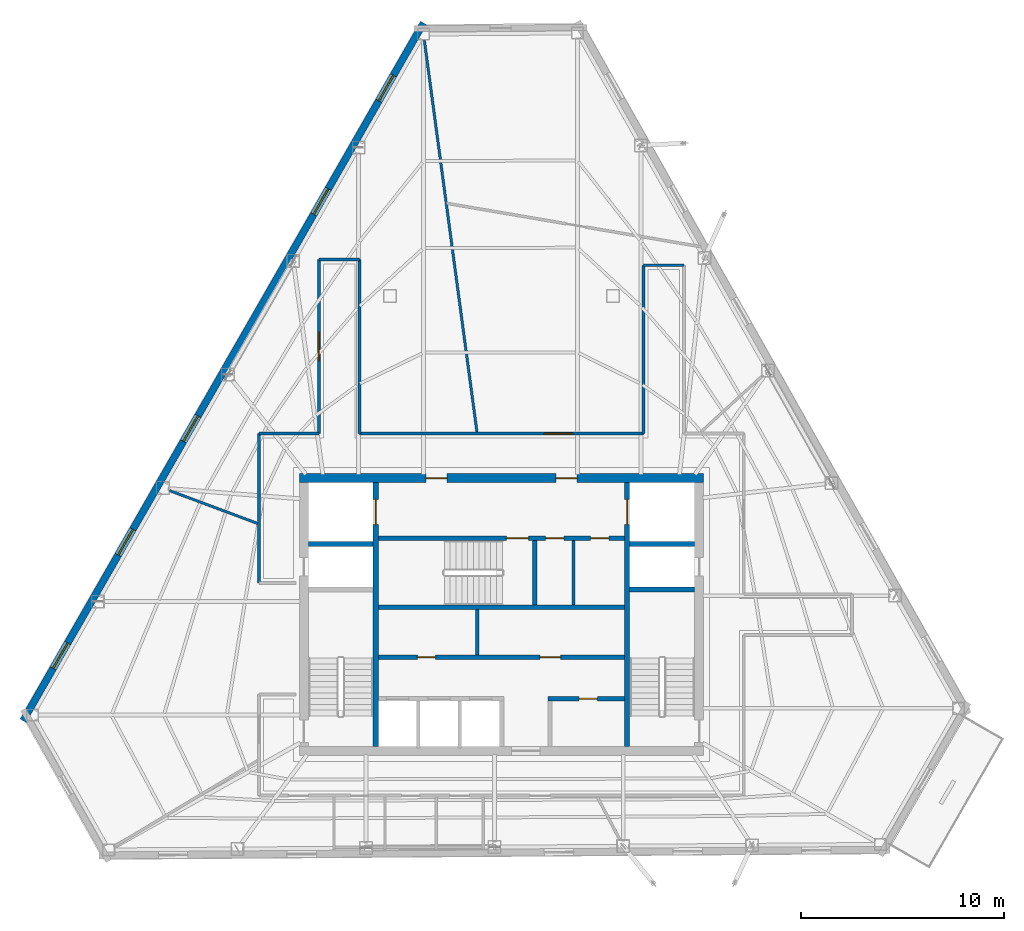
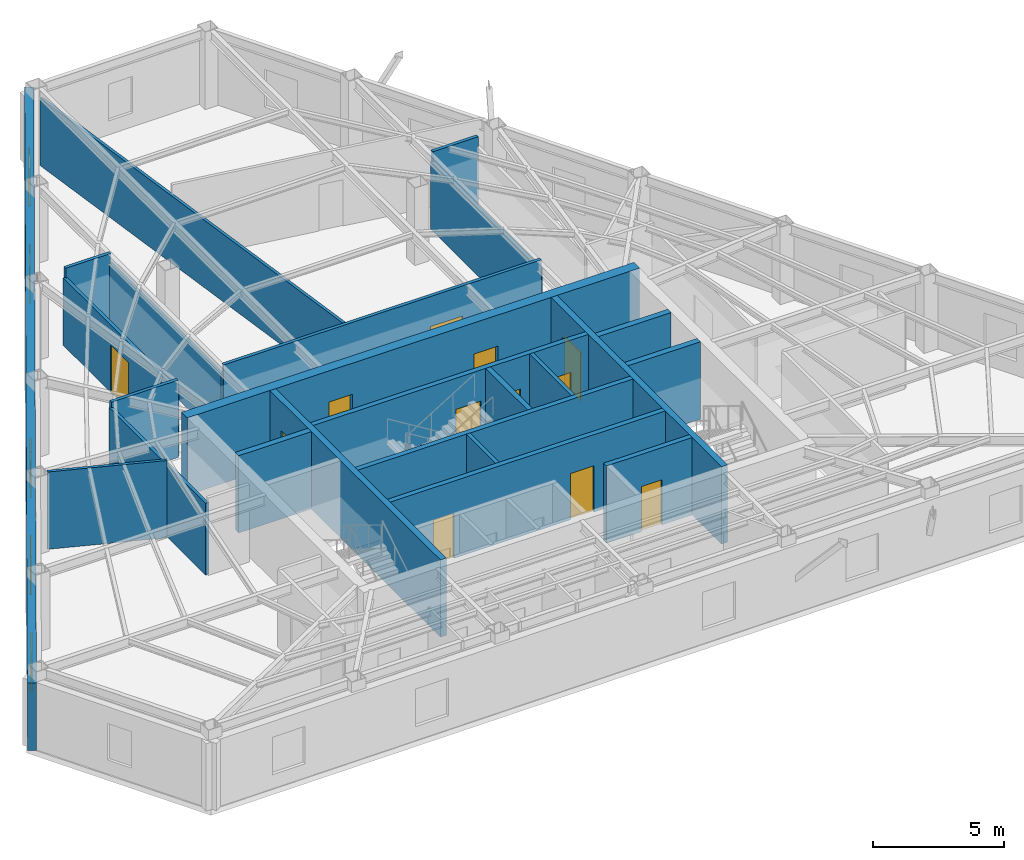
# One storey, part 9 of 12: 24 walls, 12 doors, 5 windows, 17 openings.
"""IFC4 building model written with IfcOpenShell, lengths in metres."""

import ifcopenshell
import ifcopenshell.guid

model = None  # the IFC model being written
_history = None  # IfcOwnerHistory: only IFC2X3 demands one
_inside = {}  # id of a spatial element -> (the spatial element, [elements in it])
_under = {}  # id of a project, library or spatial element -> (it, [spatial elements below it])
_declared = {}  # id of a project -> (the project, [libraries it declares])
_typed = {}  # id of a type object -> (the type object, [elements of that type])
_made_of = {}  # id of a material, layer set ... -> (it, [elements and type objects made of it])


def new_model(schema):
    """Start an empty IFC model of exactly this schema.

    Asked for "IFC4X3", IfcOpenShell would pick the latest addendum, in which some entities
    have other attributes; the version numbers below select the first issue.
    IFC2X3 requires an IfcOwnerHistory on every rooted entity: one is made here for all.
    """
    global model, _history
    if schema == "IFC4X3":
        model = ifcopenshell.file(schema_version=(4, 3, 0, 0))
    else:
        model = ifcopenshell.file(schema=schema)
    _inside.clear()
    _under.clear()
    _declared.clear()
    _typed.clear()
    _made_of.clear()
    _history = None
    if model.schema == "IFC2X3":
        org = make("IfcOrganization", Name="unknown")
        user = make(
            "IfcPersonAndOrganization",
            ThePerson=make("IfcPerson", FamilyName="unknown"),
            TheOrganization=org,
        )
        app = make(
            "IfcApplication",
            ApplicationDeveloper=org,
            Version="unknown",
            ApplicationFullName="unknown",
            ApplicationIdentifier="unknown",
        )
        _history = make(
            "IfcOwnerHistory",
            OwningUser=user,
            OwningApplication=app,
            ChangeAction="ADDED",
            CreationDate=0,
        )
    return model


def make(cls, **values):
    """One entity of the class cls with the attributes given. An attribute that is None is left unset."""
    return model.create_entity(
        cls, **{name: value for name, value in values.items() if value is not None}
    )


def rooted(cls, **values):
    """An entity with a GlobalId (a new one), such as an element, a storey or a relation."""
    return make(cls, GlobalId=ifcopenshell.guid.new(), OwnerHistory=_history, **values)


def si_unit(unit_type, name, prefix=None):
    """IfcSIUnit, for example si_unit("LENGTHUNIT", "METRE", prefix="MILLI")."""
    return make("IfcSIUnit", UnitType=unit_type, Prefix=prefix, Name=name)


def assignment(units):
    """IfcUnitAssignment: the units of a project."""
    return None if units is None else make("IfcUnitAssignment", Units=units)


def point(xyz):
    """IfcCartesianPoint."""
    return None if xyz is None else make("IfcCartesianPoint", Coordinates=xyz)


def direction(xyz):
    """IfcDirection."""
    return None if xyz is None else make("IfcDirection", DirectionRatios=xyz)


def frame(location, z_axis=None, x_axis=None):
    """IfcAxis2Placement3D, a coordinate frame: its origin and axes. An axis left out is left unset."""
    return make(
        "IfcAxis2Placement3D",
        Location=point(location),
        Axis=direction(z_axis),
        RefDirection=direction(x_axis),
    )


def frame_2d(location, x_axis=None):
    """IfcAxis2Placement2D, a coordinate frame in the plane: its origin and x axis."""
    return make(
        "IfcAxis2Placement2D", Location=point(location), RefDirection=direction(x_axis)
    )


def origin():
    """The frame at (0, 0, 0) with its axes left unset."""
    return frame((0.0, 0.0, 0.0))


def place(relative_to, where):
    """IfcLocalPlacement: puts the frame where relative to a parent placement (None: the world)."""
    return make(
        "IfcLocalPlacement", PlacementRelTo=relative_to, RelativePlacement=where
    )


def context(
    kind, dimensions, precision=None, world=None, true_north=None, identifier=None
):
    """IfcGeometricRepresentationContext, for example the 3D "Model" context."""
    return make(
        "IfcGeometricRepresentationContext",
        ContextIdentifier=identifier,
        ContextType=kind,
        CoordinateSpaceDimension=dimensions,
        Precision=precision,
        WorldCoordinateSystem=world,
        TrueNorth=true_north,
    )


def subcontext(parent, identifier, kind, view, scale=None):
    """IfcGeometricRepresentationSubContext, for example "Body" below "Model"."""
    return make(
        "IfcGeometricRepresentationSubContext",
        ContextIdentifier=identifier,
        ContextType=kind,
        ParentContext=parent,
        TargetScale=scale,
        TargetView=view,
    )


def project(units=None, contexts=None):
    """IfcProject with its units and contexts."""
    return rooted(
        "IfcProject",
        Name="project",
        RepresentationContexts=contexts,
        UnitsInContext=assignment(units),
    )


def spatial(cls, under=None, at=None, **own):
    """A site, building, storey or space (cls), placed at a placement, below another one or the project."""
    s = rooted(cls, ObjectPlacement=at, **own)
    if under is not None:
        _under.setdefault(under.id(), (under, []))[1].append(s)
    return s


def profile(cls, at=None, kind="AREA", **sizes):
    """A parametric profile (cls). Its sizes go by their IFC names, for example OverallWidth=200.0."""
    return make(cls, ProfileType=kind, Position=at, **sizes)


def rectangle(**sizes):
    """IfcRectangleProfileDef."""
    return profile("IfcRectangleProfileDef", **sizes)


def extrude(swept, where, along, depth):
    """IfcExtrudedAreaSolid: the profile swept, set in the frame where, extruded along a direction by depth."""
    return make(
        "IfcExtrudedAreaSolid",
        SweptArea=swept,
        Position=where,
        ExtrudedDirection=direction(along),
        Depth=depth,
    )


def shape(context_of_items, identifier, shape_type, items):
    """IfcShapeRepresentation: the items that make up one representation, for example the "Body"."""
    return make(
        "IfcShapeRepresentation",
        ContextOfItems=context_of_items,
        RepresentationIdentifier=identifier,
        RepresentationType=shape_type,
        Items=items,
    )


def material(Name=None, Category=None):
    """IfcMaterial."""
    return make("IfcMaterial", Name=Name, Category=Category)


def layer(
    of_material, thickness, ventilated=None, Name=None, Category=None, Priority=None
):
    """IfcMaterialLayer: one layer of a wall or slab, of a material (None: an air gap)."""
    return make(
        "IfcMaterialLayer",
        Material=of_material,
        LayerThickness=thickness,
        IsVentilated=ventilated,
        Name=Name,
        Category=Category,
        Priority=Priority,
    )


def layer_set(layers, Name=None):
    """IfcMaterialLayerSet."""
    return make("IfcMaterialLayerSet", MaterialLayers=layers, LayerSetName=Name)


def made_of(thing, what):
    """Note that an element or type object is made of a material, layer set ...; save() writes the relation."""
    if what is not None:
        _made_of.setdefault(what.id(), (what, []))[1].append(thing)
    return thing


def type_object(cls, material=None, **own):
    """A type object (cls), such as IfcWallType, which elements share."""
    return made_of(rooted(cls, **own), material)


def element(
    cls,
    number,
    at=None,
    inside=None,
    cuts=None,
    type_object=None,
    material=None,
    context=None,
    identifier="Body",
    shape_type=None,
    held_by="IfcProductDefinitionShape",
    body=None,
    shapes=None,
    **own,
):
    """One element of the class cls, such as IfcWall. Its Tag is "e" and its number.

    at: its placement. inside: the storey or other place that contains it. cuts: it is an
    opening in that element (IfcRelVoidsElement). A single representation is given by context,
    identifier, shape_type and body (its items); several are given by shapes. held_by: the class
    of the entity that holds the representations. save() writes the other relations.
    """
    e = rooted(cls, Tag="e%d" % number, ObjectPlacement=at, **own)
    if body is not None:
        shapes = [shape(context, identifier, shape_type, body)]
    if shapes is not None:
        e.Representation = make(held_by, Representations=shapes)
    if inside is not None:
        _inside.setdefault(inside.id(), (inside, []))[1].append(e)
    if cuts is not None:
        rooted(
            "IfcRelVoidsElement", RelatingBuildingElement=cuts, RelatedOpeningElement=e
        )
    if type_object is not None:
        _typed.setdefault(type_object.id(), (type_object, []))[1].append(e)
    return made_of(e, material)


def fill(opening, filler):
    """IfcRelFillsElement: the door or window that sits in an opening."""
    return rooted(
        "IfcRelFillsElement",
        RelatingOpeningElement=opening,
        RelatedBuildingElement=filler,
    )


def aggregate(whole, parts):
    """IfcRelAggregates: a whole, such as a stair, and the parts it consists of."""
    return rooted("IfcRelAggregates", RelatingObject=whole, RelatedObjects=parts)


def save(model, path):
    """Write the relations noted so far, then the file.

    IfcRelAggregates (storeys below a building ...), IfcRelContainedInSpatialStructure (elements
    in a storey), IfcRelDefinesByType, IfcRelAssociatesMaterial and IfcRelDeclares: one each for
    every whole, place, type object, material and project.
    """
    for whole, parts in _under.values():
        aggregate(whole, parts)
    for where, things in _inside.values():
        rooted(
            "IfcRelContainedInSpatialStructure",
            RelatedElements=things,
            RelatingStructure=where,
        )
    for kind, things in _typed.values():
        rooted("IfcRelDefinesByType", RelatedObjects=things, RelatingType=kind)
    for what, things in _made_of.values():
        rooted("IfcRelAssociatesMaterial", RelatedObjects=things, RelatingMaterial=what)
    for by, libraries in _declared.values():
        rooted("IfcRelDeclares", RelatingContext=by, RelatedDefinitions=libraries)
    model.write(path)


model = new_model("IFC4")

# Units and contexts
model_context = context("Model", 3, precision=1e-05, world=origin(), true_north=direction((0.0, 1.0)))
body_context = subcontext(model_context, "Body", "Model", "MODEL_VIEW")
ifc_project = project(units=[si_unit("LENGTHUNIT", "METRE"), si_unit("AREAUNIT", "SQUARE_METRE"), si_unit("VOLUMEUNIT", "CUBIC_METRE"), si_unit("PLANEANGLEUNIT", "RADIAN"), si_unit("MASSUNIT", "GRAM", prefix="KILO")], contexts=[model_context])

# Site, building, storey
site_placement = place(None, origin())
site = spatial("IfcSite", under=ifc_project, at=site_placement, CompositionType="ELEMENT")
building_placement = place(site_placement, origin())
building = spatial("IfcBuilding", under=site, at=building_placement, Name="Kavelnor Concourse Tower", CompositionType="ELEMENT")
storey_placement = place(building_placement, frame((0.0, 0.0, 226.60009765625)))
storey = spatial("IfcBuildingStorey", under=building, at=storey_placement, Name="L57", CompositionType="ELEMENT", Elevation=226.60009765625)

# Wall, openings, doors
ifc_material_1 = material(Name="Concrete C50/60", Category="concrete")
ifc_layer_1 = layer(ifc_material_1, 0.43994140625, Name="Concrete C50/60")
ifc_layer_set_1 = layer_set([ifc_layer_1], Name="Concrete C50/60")
wall_type_1 = type_object("IfcWallType", Name="WL-CORE-Z3-440", PredefinedType="SOLIDWALL", material=ifc_layer_set_1)
wall_1_placement = place(storey_placement, frame((28.0400390625, 22.820068359375, 0.0), z_axis=(0.0, 0.0, 1.0), x_axis=(1.0, 0.0, 0.0)))
wall_1 = element("IfcWall", 1, at=wall_1_placement, inside=storey, type_object=wall_type_1, Name="L57 Central Core North Shear Wall", PredefinedType="SOLIDWALL", context=body_context, shape_type="SweptSolid", body=[
    extrude(rectangle(XDim=19.919921875, YDim=0.43994140625, at=frame_2d((9.9599609375, 0.0))), origin(), (0.0, 0.0, 1.0), 3.599853515625),
])
opening_1_placement = place(wall_1_placement, frame((6.235107421875, 0.0, 0.0)))
opening_1 = element("IfcOpeningElement", 2, at=opening_1_placement, cuts=wall_1, Name="Opening FD-105", PredefinedType="OPENING", context=body_context, shape_type="SweptSolid", body=[
    extrude(rectangle(XDim=1.050048828125, YDim=2.14990234375, at=frame_2d((0.52490234375, 1.074951171875))), frame((0.0, 0.22998046875, 0.0), z_axis=(0.0, -1.0, 0.0), x_axis=(1.0, 0.0, 0.0)), (0.0, 0.0, 1.0), 0.4599609375),
])
opening_2_placement = place(wall_1_placement, frame((12.635009765625, 0.0, 0.0)))
opening_2 = element("IfcOpeningElement", 3, at=opening_2_placement, cuts=wall_1, Name="Opening FD-105", PredefinedType="OPENING", context=body_context, shape_type="SweptSolid", body=[
    extrude(rectangle(XDim=1.050048828125, YDim=2.14990234375, at=frame_2d((0.52490234375, 1.074951171875))), frame((0.0, 0.22998046875, 0.0), z_axis=(0.0, -1.0, 0.0), x_axis=(1.0, 0.0, 0.0)), (0.0, 0.0, 1.0), 0.4599609375),
])
ifc_material_2 = material(Name="Steel Grade 350", Category="steel")
door_type_1 = type_object("IfcDoorType", Name="DR-LOBBY-FIRE-1050", OperationType="NOTDEFINED", PredefinedType="DOOR", material=ifc_material_2)
door_1_placement = place(opening_1_placement, origin())
door_1 = element("IfcDoor", 4, at=door_1_placement, inside=storey, type_object=door_type_1, Name="L57 Emergency Lift Lobby West Door", OperationType="SINGLE_SWING_LEFT", OverallHeight=2.14990234375, OverallWidth=1.050048828125, PredefinedType="DOOR", context=body_context, shape_type="SweptSolid", body=[
    extrude(rectangle(XDim=1.050048828125, YDim=2.14990234375, at=frame_2d((0.52490234375, 1.074951171875))), frame((0.0, 0.02490234375, 0.0), z_axis=(0.0, -1.0, 0.0), x_axis=(1.0, 0.0, 0.0)), (0.0, 0.0, 1.0), 0.050048828125),
])
fill(opening_1, door_1)
door_2_placement = place(opening_2_placement, origin())
door_2 = element("IfcDoor", 5, at=door_2_placement, inside=storey, type_object=door_type_1, Name="L57 Emergency Lift Lobby East Door", OperationType="SINGLE_SWING_RIGHT", OverallHeight=2.14990234375, OverallWidth=1.050048828125, PredefinedType="DOOR", context=body_context, shape_type="SweptSolid", body=[
    extrude(rectangle(XDim=1.050048828125, YDim=2.14990234375, at=frame_2d((0.52490234375, 1.074951171875))), frame((0.0, 0.02490234375, 0.0), z_axis=(0.0, -1.0, 0.0), x_axis=(1.0, 0.0, 0.0)), (0.0, 0.0, 1.0), 0.050048828125),
])
fill(opening_2, door_2)

# Wall, openings, windows
ifc_material_3 = material(Name="Red-ochre clay face brick masonry", Category="masonry")
ifc_layer_2 = layer(ifc_material_3, 0.35009765625, Name="Red-ochre clay face brick masonry")
ifc_layer_set_2 = layer_set([ifc_layer_2], Name="Red-ochre clay face brick masonry")
wall_type_2 = type_object("IfcWallType", Name="WL-EXT-RED-BRICK-PIER-350", PredefinedType="STANDARD", material=ifc_layer_set_2)
wall_2_placement = place(storey_placement, frame((14.4248046875, 10.865478515625, 0.0), z_axis=(0.0, 0.0, 1.0), x_axis=(0.497768108872, 0.867310157781, 0.0)))
wall_2 = element("IfcWall", 6, at=wall_2_placement, inside=storey, type_object=wall_type_2, Name="L57 Exterior Brick Facade Wall E1", PredefinedType="STANDARD", context=body_context, shape_type="SweptSolid", body=[
    extrude(rectangle(XDim=39.646728515625, YDim=0.35009765625, at=frame_2d((19.8232421875, 0.0))), origin(), (0.0, 0.0, 1.0), 3.1318359375),
])
opening_3_placement = place(wall_2_placement, frame((35.22119140625, 0.0, 0.64990234375)))
opening_3 = element("IfcOpeningElement", 7, at=opening_3_placement, cuts=wall_2, Name="Opening W-03", PredefinedType="OPENING", context=body_context, shape_type="SweptSolid", body=[
    extrude(rectangle(XDim=1.449951171875, YDim=1.75, at=frame_2d((0.72509765625, 0.875))), frame((0.0, 0.18505859375, 0.0), z_axis=(0.0, -1.0, 0.0), x_axis=(1.0, 0.0, 0.0)), (0.0, 0.0, 1.0), 0.3701171875),
])
opening_4_placement = place(wall_2_placement, frame((28.771484375, 0.0, 0.64990234375)))
opening_4 = element("IfcOpeningElement", 8, at=opening_4_placement, cuts=wall_2, Name="Opening W-03", PredefinedType="OPENING", context=body_context, shape_type="SweptSolid", body=[
    extrude(rectangle(XDim=1.449951171875, YDim=1.75, at=frame_2d((0.72509765625, 0.875))), frame((0.0, 0.18505859375, 0.0), z_axis=(0.0, -1.0, 0.0), x_axis=(1.0, 0.0, 0.0)), (0.0, 0.0, 1.0), 0.3701171875),
])
opening_5_placement = place(wall_2_placement, frame((15.872314453125, 0.0, 0.64990234375)))
opening_5 = element("IfcOpeningElement", 9, at=opening_5_placement, cuts=wall_2, Name="Opening W-03", PredefinedType="OPENING", context=body_context, shape_type="SweptSolid", body=[
    extrude(rectangle(XDim=1.449951171875, YDim=1.75, at=frame_2d((0.72509765625, 0.875))), frame((0.0, 0.18505859375, 0.0), z_axis=(0.0, -1.0, 0.0), x_axis=(1.0, 0.0, 0.0)), (0.0, 0.0, 1.0), 0.3701171875),
])
opening_6_placement = place(wall_2_placement, frame((9.422607421875, 0.0, 0.64990234375)))
opening_6 = element("IfcOpeningElement", 10, at=opening_6_placement, cuts=wall_2, Name="Opening W-03", PredefinedType="OPENING", context=body_context, shape_type="SweptSolid", body=[
    extrude(rectangle(XDim=1.449951171875, YDim=1.75, at=frame_2d((0.72509765625, 0.875))), frame((0.0, 0.18505859375, 0.0), z_axis=(0.0, -1.0, 0.0), x_axis=(1.0, 0.0, 0.0)), (0.0, 0.0, 1.0), 0.3701171875),
])
opening_7_placement = place(wall_2_placement, frame((2.972900390625, 0.0, 0.64990234375)))
opening_7 = element("IfcOpeningElement", 11, at=opening_7_placement, cuts=wall_2, Name="Opening W-03", PredefinedType="OPENING", context=body_context, shape_type="SweptSolid", body=[
    extrude(rectangle(XDim=1.449951171875, YDim=1.75, at=frame_2d((0.72509765625, 0.875))), frame((0.0, 0.18505859375, 0.0), z_axis=(0.0, -1.0, 0.0), x_axis=(1.0, 0.0, 0.0)), (0.0, 0.0, 1.0), 0.3701171875),
])
ifc_material_4 = material(Name="Double low-E argon insulated glazing", Category="glass")
window_type = type_object("IfcWindowType", Name="WIN-PIER-Z3-1500", PartitioningType="SINGLE_PANEL", PredefinedType="WINDOW", material=ifc_material_4)
window_1_placement = place(opening_3_placement, origin())
window_1 = element("IfcWindow", 12, at=window_1_placement, inside=storey, type_object=window_type, Name="L57 Deep-Set Brick Pier Window F0-B0", OverallHeight=1.75, OverallWidth=1.449951171875, PartitioningType="SINGLE_PANEL", PredefinedType="WINDOW", context=body_context, shape_type="SweptSolid", body=[
    extrude(rectangle(XDim=1.449951171875, YDim=1.75, at=frame_2d((0.72509765625, 0.875))), frame((0.0, 0.030029296875, 0.0), z_axis=(0.0, -1.0, 0.0), x_axis=(1.0, 0.0, 0.0)), (0.0, 0.0, 1.0), 0.06005859375),
])
fill(opening_3, window_1)
window_2_placement = place(opening_4_placement, origin())
window_2 = element("IfcWindow", 13, at=window_2_placement, inside=storey, type_object=window_type, Name="L57 Deep-Set Brick Pier Window F0-B1", OverallHeight=1.75, OverallWidth=1.449951171875, PartitioningType="SINGLE_PANEL", PredefinedType="WINDOW", context=body_context, shape_type="SweptSolid", body=[
    extrude(rectangle(XDim=1.449951171875, YDim=1.75, at=frame_2d((0.72509765625, 0.875))), frame((0.0, 0.030029296875, 0.0), z_axis=(0.0, -1.0, 0.0), x_axis=(1.0, 0.0, 0.0)), (0.0, 0.0, 1.0), 0.06005859375),
])
fill(opening_4, window_2)
window_3_placement = place(opening_5_placement, origin())
window_3 = element("IfcWindow", 14, at=window_3_placement, inside=storey, type_object=window_type, Name="L57 Deep-Set Brick Pier Window F0-B3", OverallHeight=1.75, OverallWidth=1.449951171875, PartitioningType="SINGLE_PANEL", PredefinedType="WINDOW", context=body_context, shape_type="SweptSolid", body=[
    extrude(rectangle(XDim=1.449951171875, YDim=1.75, at=frame_2d((0.72509765625, 0.875))), frame((0.0, 0.030029296875, 0.0), z_axis=(0.0, -1.0, 0.0), x_axis=(1.0, 0.0, 0.0)), (0.0, 0.0, 1.0), 0.06005859375),
])
fill(opening_5, window_3)
window_4_placement = place(opening_6_placement, origin())
window_4 = element("IfcWindow", 15, at=window_4_placement, inside=storey, type_object=window_type, Name="L57 Deep-Set Brick Pier Window F0-B4", OverallHeight=1.75, OverallWidth=1.449951171875, PartitioningType="SINGLE_PANEL", PredefinedType="WINDOW", context=body_context, shape_type="SweptSolid", body=[
    extrude(rectangle(XDim=1.449951171875, YDim=1.75, at=frame_2d((0.72509765625, 0.875))), frame((0.0, 0.030029296875, 0.0), z_axis=(0.0, -1.0, 0.0), x_axis=(1.0, 0.0, 0.0)), (0.0, 0.0, 1.0), 0.06005859375),
])
fill(opening_6, window_4)
window_5_placement = place(opening_7_placement, origin())
window_5 = element("IfcWindow", 16, at=window_5_placement, inside=storey, type_object=window_type, Name="L57 Deep-Set Brick Pier Window F0-B5", OverallHeight=1.75, OverallWidth=1.449951171875, PartitioningType="SINGLE_PANEL", PredefinedType="WINDOW", context=body_context, shape_type="SweptSolid", body=[
    extrude(rectangle(XDim=1.449951171875, YDim=1.75, at=frame_2d((0.72509765625, 0.875))), frame((0.0, 0.030029296875, 0.0), z_axis=(0.0, -1.0, 0.0), x_axis=(1.0, 0.0, 0.0)), (0.0, 0.0, 1.0), 0.06005859375),
])
fill(opening_7, window_5)

# Walls
ifc_material_5 = material(Name="Gypsum plasterboard on light-gauge steel studs", Category="steel")
ifc_layer_3 = layer(ifc_material_5, 0.14501953125, Name="Gypsum plasterboard on light-gauge steel studs")
ifc_layer_set_3 = layer_set([ifc_layer_3], Name="Gypsum plasterboard on light-gauge steel studs")
wall_type_3 = type_object("IfcWallType", Name="WL-INT-CORR-145", PredefinedType="PARTITIONING", material=ifc_layer_set_3)
wall_3_placement = place(storey_placement, frame((26.06005859375, 17.64990234375, 0.0), z_axis=(0.0, 0.0, 1.0), x_axis=(0.0, 1.0, 0.0)))
element("IfcWall", 17, at=wall_3_placement, inside=storey, type_object=wall_type_3, Name="L57 Corridor Wall WL-L57-CR-02", PredefinedType="PARTITIONING", context=body_context, shape_type="SweptSolid", body=[
    extrude(rectangle(XDim=7.3701171875, YDim=0.14501953125, at=frame_2d((3.68505859375, 0.0))), origin(), (0.0, 0.0, 1.0), 3.3388671875),
])
wall_4_placement = place(storey_placement, frame((26.06005859375, 25.02001953125, 0.0), z_axis=(0.0, 0.0, 1.0), x_axis=(1.0, 0.0, 0.0)))
element("IfcWall", 18, at=wall_4_placement, inside=storey, type_object=wall_type_3, Name="L57 Corridor Wall WL-L57-CR-03", PredefinedType="PARTITIONING", context=body_context, shape_type="SweptSolid", body=[
    extrude(rectangle(XDim=2.93994140625, YDim=0.14501953125, at=frame_2d((1.469970703125, 0.0))), origin(), (0.0, 0.0, 1.0), 3.599853515625),
])

# Wall, opening, door
wall_5_placement = place(storey_placement, frame((29.0, 25.02001953125, 0.0), z_axis=(0.0, 0.0, 1.0), x_axis=(0.0, 1.0, 0.0)))
wall_5 = element("IfcWall", 19, at=wall_5_placement, inside=storey, type_object=wall_type_3, Name="L57 Corridor Wall WL-L57-CR-04", PredefinedType="PARTITIONING", context=body_context, shape_type="SweptSolid", body=[
    extrude(rectangle(XDim=8.57861328125, YDim=0.14501953125, at=frame_2d((4.289306640625, 0.0))), origin(), (0.0, 0.0, 1.0), 3.140869140625),
])
opening_8_placement = place(wall_5_placement, frame((3.58935546875, 0.0, 0.0)))
opening_8 = element("IfcOpeningElement", 20, at=opening_8_placement, cuts=wall_5, Name="Opening SD-140", PredefinedType="OPENING", context=body_context, shape_type="SweptSolid", body=[
    extrude(rectangle(XDim=1.39990234375, YDim=2.199951171875, at=frame_2d((0.699951171875, 1.10009765625))), frame((0.0, 0.08251953125, 0.0), z_axis=(0.0, -1.0, 0.0), x_axis=(1.0, 0.0, 0.0)), (0.0, 0.0, 1.0), 0.1650390625),
])
ifc_material_6 = material(Name="Solid-core hardwood timber", Category="wood")
door_type_2 = type_object("IfcDoorType", Name="DR-SUITE-ENTRY-1400", OperationType="NOTDEFINED", PredefinedType="DOOR", material=ifc_material_6)
door_3_placement = place(opening_8_placement, origin())
door_3 = element("IfcDoor", 21, at=door_3_placement, inside=storey, type_object=door_type_2, Name="L57 Tenant Bookstore Retail Shop 03 Door", OperationType="SINGLE_SWING_LEFT", OverallHeight=2.199951171875, OverallWidth=1.39990234375, PredefinedType="DOOR", context=body_context, shape_type="SweptSolid", body=[
    extrude(rectangle(XDim=1.39990234375, YDim=2.199951171875, at=frame_2d((0.699951171875, 1.10009765625))), frame((0.0, 0.02490234375, 0.0), z_axis=(0.0, -1.0, 0.0), x_axis=(1.0, 0.0, 0.0)), (0.0, 0.0, 1.0), 0.050048828125),
])
fill(opening_8, door_3)

# Walls
wall_6_placement = place(storey_placement, frame((29.0, 33.5986328125, 0.0), z_axis=(0.0, 0.0, 1.0), x_axis=(1.0, 0.0, 0.0)))
element("IfcWall", 22, at=wall_6_placement, inside=storey, type_object=wall_type_3, Name="L57 Corridor Wall WL-L57-CR-05", PredefinedType="PARTITIONING", context=body_context, shape_type="SweptSolid", body=[
    extrude(rectangle(XDim=2.0, YDim=0.14501953125, at=frame_2d((1.0, 0.0))), origin(), (0.0, 0.0, 1.0), 3.599853515625),
])
wall_7_placement = place(storey_placement, frame((31.0, 33.5986328125, 0.0), z_axis=(0.0, 0.0, 1.0), x_axis=(0.0, -1.0, 0.0)))
element("IfcWall", 23, at=wall_7_placement, inside=storey, type_object=wall_type_3, Name="L57 Corridor Wall WL-L57-CR-06", PredefinedType="PARTITIONING", context=body_context, shape_type="SweptSolid", body=[
    extrude(rectangle(XDim=8.57861328125, YDim=0.14501953125, at=frame_2d((4.289306640625, 0.0))), origin(), (0.0, 0.0, 1.0), 3.140869140625),
])

# Wall, opening, door
wall_8_placement = place(storey_placement, frame((31.0, 25.02001953125, 0.0), z_axis=(0.0, 0.0, 1.0), x_axis=(1.0, 0.0, 0.0)))
wall_8 = element("IfcWall", 24, at=wall_8_placement, inside=storey, type_object=wall_type_3, Name="L57 Corridor Wall WL-L57-CR-07", PredefinedType="PARTITIONING", context=body_context, shape_type="SweptSolid", body=[
    extrude(rectangle(XDim=14.0, YDim=0.14501953125, at=frame_2d((7.0, 0.0))), origin(), (0.0, 0.0, 1.0), 3.599853515625),
])
opening_9_placement = place(wall_8_placement, frame((9.10986328125, 0.0, 0.0)))
opening_9 = element("IfcOpeningElement", 25, at=opening_9_placement, cuts=wall_8, Name="Opening SD-140", PredefinedType="OPENING", context=body_context, shape_type="SweptSolid", body=[
    extrude(rectangle(XDim=1.39990234375, YDim=2.199951171875, at=frame_2d((0.699951171875, 1.10009765625))), frame((0.0, 0.08251953125, 0.0), z_axis=(0.0, -1.0, 0.0), x_axis=(1.0, 0.0, 0.0)), (0.0, 0.0, 1.0), 0.1650390625),
])
door_4_placement = place(opening_9_placement, origin())
door_4 = element("IfcDoor", 26, at=door_4_placement, inside=storey, type_object=door_type_2, Name="L57 Workplace Open Office 01 Door", OperationType="SINGLE_SWING_LEFT", OverallHeight=2.199951171875, OverallWidth=1.39990234375, PredefinedType="DOOR", context=body_context, shape_type="SweptSolid", body=[
    extrude(rectangle(XDim=1.39990234375, YDim=2.199951171875, at=frame_2d((0.699951171875, 1.10009765625))), frame((0.0, 0.02490234375, 0.0), z_axis=(0.0, -1.0, 0.0), x_axis=(1.0, 0.0, 0.0)), (0.0, 0.0, 1.0), 0.050048828125),
])
fill(opening_9, door_4)

# Walls
wall_9_placement = place(storey_placement, frame((45.0, 25.02001953125, 0.0), z_axis=(0.0, 0.0, 1.0), x_axis=(0.0, 1.0, 0.0)))
element("IfcWall", 27, at=wall_9_placement, inside=storey, type_object=wall_type_3, Name="L57 Corridor Wall WL-L57-CR-08", PredefinedType="PARTITIONING", context=body_context, shape_type="SweptSolid", body=[
    extrude(rectangle(XDim=8.291259765625, YDim=0.14501953125, at=frame_2d((4.1455078125, 0.0))), origin(), (0.0, 0.0, 1.0), 3.140869140625),
])
wall_10_placement = place(storey_placement, frame((45.0, 33.311279296875, 0.0), z_axis=(0.0, 0.0, 1.0), x_axis=(1.0, 0.0, 0.0)))
element("IfcWall", 28, at=wall_10_placement, inside=storey, type_object=wall_type_3, Name="L57 Corridor Wall WL-L57-CR-09", PredefinedType="PARTITIONING", context=body_context, shape_type="SweptSolid", body=[
    extrude(rectangle(XDim=2.0, YDim=0.14501953125, at=frame_2d((1.0, 0.0))), origin(), (0.0, 0.0, 1.0), 3.599853515625),
])
ifc_layer_4 = layer(ifc_material_5, 0.1650390625, Name="Gypsum plasterboard on light-gauge steel studs")
ifc_layer_set_4 = layer_set([ifc_layer_4], Name="Gypsum plasterboard on light-gauge steel studs")
wall_type_4 = type_object("IfcWallType", Name="WL-INT-FIRE-165", PredefinedType="PARTITIONING", material=ifc_layer_set_4)
wall_11_placement = place(storey_placement, frame((36.800048828125, 14.10009765625, 0.0), z_axis=(0.0, 0.0, 1.0), x_axis=(0.0, 1.0, 0.0)))
element("IfcWall", 29, at=wall_11_placement, inside=storey, type_object=wall_type_4, Name="L57 Reclaimed Core Partition A", PredefinedType="PARTITIONING", context=body_context, shape_type="SweptSolid", body=[
    extrude(rectangle(XDim=2.239990234375, YDim=0.1650390625, at=frame_2d((1.1201171875, 0.0))), origin(), (0.0, 0.0, 1.0), 3.599853515625),
])
wall_12_placement = place(storey_placement, frame((41.550048828125, 16.56005859375, 0.0), z_axis=(0.0, 0.0, 1.0), x_axis=(0.0, 1.0, 0.0)))
element("IfcWall", 30, at=wall_12_placement, inside=storey, type_object=wall_type_4, Name="L57 Core North Support Divider", PredefinedType="PARTITIONING", context=body_context, shape_type="SweptSolid", body=[
    extrude(rectangle(XDim=3.199951171875, YDim=0.1650390625, at=frame_2d((1.60009765625, 0.0))), origin(), (0.0, 0.0, 1.0), 3.599853515625),
])
ifc_layer_5 = layer(ifc_material_5, 0.125, Name="Gypsum plasterboard on light-gauge steel studs")
ifc_layer_set_5 = layer_set([ifc_layer_5], Name="Gypsum plasterboard on light-gauge steel studs")
wall_type_5 = type_object("IfcWallType", Name="WL-INT-SUITE-125", PredefinedType="PARTITIONING", material=ifc_layer_set_5)
wall_13_placement = place(storey_placement, frame((36.790771484375, 25.1005859375, 0.0), z_axis=(0.0, 0.0, 1.0), x_axis=(-0.133147673906, 0.991096209726, 0.0)))
element("IfcWall", 31, at=wall_13_placement, inside=storey, type_object=wall_type_5, Name="L57 Radial Suite Partition 02", PredefinedType="PARTITIONING", context=body_context, shape_type="SweptSolid", body=[
    extrude(rectangle(XDim=19.46923828125, YDim=0.125, at=frame_2d((9.734619140625, 0.0))), origin(), (0.0, 0.0, 1.0), 3.140869140625),
])
wall_14_placement = place(storey_placement, frame((25.9794921875, 20.587890625, 0.0), z_axis=(0.0, 0.0, 1.0), x_axis=(-0.936837597127, 0.34976465889, 0.0)))
element("IfcWall", 32, at=wall_14_placement, inside=storey, type_object=wall_type_5, Name="L57 Radial Suite Partition 03", PredefinedType="PARTITIONING", context=body_context, shape_type="SweptSolid", body=[
    extrude(rectangle(XDim=4.62841796875, YDim=0.125, at=frame_2d((2.314208984375, 0.0))), origin(), (0.0, 0.0, 1.0), 3.599853515625),
])

# Wall, openings, doors
ifc_layer_6 = layer(ifc_material_1, 0.219970703125, Name="Concrete C50/60")
ifc_layer_set_6 = layer_set([ifc_layer_6], Name="Concrete C50/60")
wall_type_6 = type_object("IfcWallType", Name="WL-SHAFT-220", PredefinedType="SOLIDWALL", material=ifc_layer_set_6)
wall_15_placement = place(storey_placement, frame((31.93994140625, 19.8701171875, 0.0), z_axis=(0.0, 0.0, 1.0), x_axis=(1.0, 0.0, 0.0)))
wall_15 = element("IfcWall", 33, at=wall_15_placement, inside=storey, type_object=wall_type_6, Name="L57 Emergency Lift Lobby South Wall", PredefinedType="SOLIDWALL", context=body_context, shape_type="SweptSolid", body=[
    extrude(rectangle(XDim=12.1201171875, YDim=0.219970703125, at=frame_2d((6.06005859375, 0.0))), origin(), (0.0, 0.0, 1.0), 3.599853515625),
])
opening_10_placement = place(wall_15_placement, frame((6.300048828125, 0.0, 0.0)))
opening_10 = element("IfcOpeningElement", 34, at=opening_10_placement, cuts=wall_15, Name="Opening FD-110", PredefinedType="OPENING", context=body_context, shape_type="SweptSolid", body=[
    extrude(rectangle(XDim=1.10009765625, YDim=2.14990234375, at=frame_2d((0.550048828125, 1.074951171875))), frame((0.0, 0.1201171875, 0.0), z_axis=(0.0, -1.0, 0.0), x_axis=(1.0, 0.0, 0.0)), (0.0, 0.0, 1.0), 0.239990234375),
])
opening_11_placement = place(wall_15_placement, frame((8.22998046875, 0.0, 0.0)))
opening_11 = element("IfcOpeningElement", 35, at=opening_11_placement, cuts=wall_15, Name="Opening FD-090", PredefinedType="OPENING", context=body_context, shape_type="SweptSolid", body=[
    extrude(rectangle(XDim=0.89990234375, YDim=2.10009765625, at=frame_2d((0.449951171875, 1.050048828125))), frame((0.0, 0.1201171875, 0.0), z_axis=(0.0, -1.0, 0.0), x_axis=(1.0, 0.0, 0.0)), (0.0, 0.0, 1.0), 0.239990234375),
])
opening_12_placement = place(wall_15_placement, frame((10.449951171875, 0.0, 0.0)))
opening_12 = element("IfcOpeningElement", 36, at=opening_12_placement, cuts=wall_15, Name="Opening FD-090", PredefinedType="OPENING", context=body_context, shape_type="SweptSolid", body=[
    extrude(rectangle(XDim=0.89990234375, YDim=2.10009765625, at=frame_2d((0.449951171875, 1.050048828125))), frame((0.0, 0.1201171875, 0.0), z_axis=(0.0, -1.0, 0.0), x_axis=(1.0, 0.0, 0.0)), (0.0, 0.0, 1.0), 0.239990234375),
])
door_type_3 = type_object("IfcDoorType", Name="DR-RISER-FIRE-900", OperationType="NOTDEFINED", PredefinedType="DOOR", material=ifc_material_2)
door_5_placement = place(opening_11_placement, origin())
door_5 = element("IfcDoor", 37, at=door_5_placement, inside=storey, type_object=door_type_3, Name="L57 Telecom Room Door", OperationType="SINGLE_SWING_LEFT", OverallHeight=2.10009765625, OverallWidth=0.89990234375, PredefinedType="DOOR", context=body_context, shape_type="SweptSolid", body=[
    extrude(rectangle(XDim=0.89990234375, YDim=2.10009765625, at=frame_2d((0.449951171875, 1.050048828125))), frame((0.0, 0.02490234375, 0.0), z_axis=(0.0, -1.0, 0.0), x_axis=(1.0, 0.0, 0.0)), (0.0, 0.0, 1.0), 0.050048828125),
])
fill(opening_11, door_5)
door_6_placement = place(opening_12_placement, origin())
door_6 = element("IfcDoor", 38, at=door_6_placement, inside=storey, type_object=door_type_3, Name="L57 Janitor Store Door", OperationType="SINGLE_SWING_RIGHT", OverallHeight=2.10009765625, OverallWidth=0.89990234375, PredefinedType="DOOR", context=body_context, shape_type="SweptSolid", body=[
    extrude(rectangle(XDim=0.89990234375, YDim=2.10009765625, at=frame_2d((0.449951171875, 1.050048828125))), frame((0.0, 0.02490234375, 0.0), z_axis=(0.0, -1.0, 0.0), x_axis=(1.0, 0.0, 0.0)), (0.0, 0.0, 1.0), 0.050048828125),
])
fill(opening_12, door_6)
door_type_4 = type_object("IfcDoorType", Name="DR-STAIR-FIRE-1100", OperationType="NOTDEFINED", PredefinedType="DOOR", material=ifc_material_2)
door_7_placement = place(opening_10_placement, origin())
door_7 = element("IfcDoor", 39, at=door_7_placement, inside=storey, type_object=door_type_4, Name="L57 Stair ST3 Fire Door", OperationType="SINGLE_SWING_LEFT", OverallHeight=2.14990234375, OverallWidth=1.10009765625, PredefinedType="DOOR", context=body_context, shape_type="SweptSolid", body=[
    extrude(rectangle(XDim=1.10009765625, YDim=2.14990234375, at=frame_2d((0.550048828125, 1.074951171875))), frame((0.0, 0.02490234375, 0.0), z_axis=(0.0, -1.0, 0.0), x_axis=(1.0, 0.0, 0.0)), (0.0, 0.0, 1.0), 0.050048828125),
])
fill(opening_10, door_7)

# Walls
wall_16_placement = place(storey_placement, frame((31.93994140625, 16.449951171875, 0.0), z_axis=(0.0, 0.0, 1.0), x_axis=(1.0, 0.0, 0.0)))
element("IfcWall", 40, at=wall_16_placement, inside=storey, type_object=wall_type_6, Name="L57 Stair ST3 South Core Wall", PredefinedType="SOLIDWALL", context=body_context, shape_type="SweptSolid", body=[
    extrude(rectangle(XDim=12.1201171875, YDim=0.219970703125, at=frame_2d((6.06005859375, 0.0))), origin(), (0.0, 0.0, 1.0), 3.599853515625),
])
wall_17_placement = place(storey_placement, frame((39.64990234375, 16.56005859375, 0.0), z_axis=(0.0, 0.0, 1.0), x_axis=(0.0, 1.0, 0.0)))
element("IfcWall", 41, at=wall_17_placement, inside=storey, type_object=wall_type_6, Name="L57 Stair ST3 East Core Wall", PredefinedType="SOLIDWALL", context=body_context, shape_type="SweptSolid", body=[
    extrude(rectangle(XDim=3.199951171875, YDim=0.219970703125, at=frame_2d((1.60009765625, 0.0))), origin(), (0.0, 0.0, 1.0), 3.599853515625),
])

# Wall, openings, doors
wall_18_placement = place(storey_placement, frame((31.93994140625, 13.989990234375, 0.0), z_axis=(0.0, 0.0, 1.0), x_axis=(1.0, 0.0, 0.0)))
wall_18 = element("IfcWall", 42, at=wall_18_placement, inside=storey, type_object=wall_type_6, Name="L57 North Lift Row Shaft Wall", PredefinedType="SOLIDWALL", context=body_context, shape_type="SweptSolid", body=[
    extrude(rectangle(XDim=12.1201171875, YDim=0.219970703125, at=frame_2d((6.06005859375, 0.0))), origin(), (0.0, 0.0, 1.0), 3.599853515625),
])
opening_13_placement = place(wall_18_placement, frame((1.909912109375, 0.0, 0.0)))
opening_13 = element("IfcOpeningElement", 43, at=opening_13_placement, cuts=wall_18, Name="Opening FD-090", PredefinedType="OPENING", context=body_context, shape_type="SweptSolid", body=[
    extrude(rectangle(XDim=0.89990234375, YDim=2.10009765625, at=frame_2d((0.449951171875, 1.050048828125))), frame((0.0, 0.1201171875, 0.0), z_axis=(0.0, -1.0, 0.0), x_axis=(1.0, 0.0, 0.0)), (0.0, 0.0, 1.0), 0.239990234375),
])
opening_14_placement = place(wall_18_placement, frame((7.949951171875, 0.0, 0.0)))
opening_14 = element("IfcOpeningElement", 44, at=opening_14_placement, cuts=wall_18, Name="Opening MD-102", PredefinedType="OPENING", context=body_context, shape_type="SweptSolid", body=[
    extrude(rectangle(XDim=1.02001953125, YDim=2.14990234375, at=frame_2d((0.510009765625, 1.074951171875))), frame((0.0, 0.1201171875, 0.0), z_axis=(0.0, -1.0, 0.0), x_axis=(1.0, 0.0, 0.0)), (0.0, 0.0, 1.0), 0.239990234375),
])
ifc_material_7 = material(Name="Acoustic glazed timber frame", Category="wood")
door_type_5 = type_object("IfcDoorType", Name="DR-MEETING-1020", OperationType="NOTDEFINED", PredefinedType="DOOR", material=ifc_material_7)
door_8_placement = place(opening_14_placement, origin())
door_8 = element("IfcDoor", 45, at=door_8_placement, inside=storey, type_object=door_type_5, Name="L57 Briefing Room Door", OperationType="SINGLE_SWING_RIGHT", OverallHeight=2.14990234375, OverallWidth=1.02001953125, PredefinedType="DOOR", context=body_context, shape_type="SweptSolid", body=[
    extrude(rectangle(XDim=1.02001953125, YDim=2.14990234375, at=frame_2d((0.510009765625, 1.074951171875))), frame((0.0, 0.02490234375, 0.0), z_axis=(0.0, -1.0, 0.0), x_axis=(1.0, 0.0, 0.0)), (0.0, 0.0, 1.0), 0.050048828125),
])
fill(opening_14, door_8)
door_9_placement = place(opening_13_placement, origin())
door_9 = element("IfcDoor", 46, at=door_9_placement, inside=storey, type_object=door_type_3, Name="L57 IT Room Door", OperationType="SINGLE_SWING_LEFT", OverallHeight=2.10009765625, OverallWidth=0.89990234375, PredefinedType="DOOR", context=body_context, shape_type="SweptSolid", body=[
    extrude(rectangle(XDim=0.89990234375, YDim=2.10009765625, at=frame_2d((0.449951171875, 1.050048828125))), frame((0.0, 0.02490234375, 0.0), z_axis=(0.0, -1.0, 0.0), x_axis=(1.0, 0.0, 0.0)), (0.0, 0.0, 1.0), 0.050048828125),
])
fill(opening_13, door_9)

# Wall, opening, door
wall_19_placement = place(storey_placement, frame((40.280029296875, 11.949951171875, 0.0), z_axis=(0.0, 0.0, 1.0), x_axis=(1.0, 0.0, 0.0)))
wall_19 = element("IfcWall", 47, at=wall_19_placement, inside=storey, type_object=wall_type_6, Name="L57 Core South Support North Wall", PredefinedType="SOLIDWALL", context=body_context, shape_type="SweptSolid", body=[
    extrude(rectangle(XDim=3.780029296875, YDim=0.219970703125, at=frame_2d((1.89013671875, 0.0))), origin(), (0.0, 0.0, 1.0), 3.599853515625),
])
opening_15_placement = place(wall_19_placement, frame((1.550048828125, 0.0, 0.0)))
opening_15 = element("IfcOpeningElement", 48, at=opening_15_placement, cuts=wall_19, Name="Opening FD-090", PredefinedType="OPENING", context=body_context, shape_type="SweptSolid", body=[
    extrude(rectangle(XDim=0.89990234375, YDim=2.10009765625, at=frame_2d((0.449951171875, 1.050048828125))), frame((0.0, 0.1201171875, 0.0), z_axis=(0.0, -1.0, 0.0), x_axis=(1.0, 0.0, 0.0)), (0.0, 0.0, 1.0), 0.239990234375),
])
door_10_placement = place(opening_15_placement, origin())
door_10 = element("IfcDoor", 49, at=door_10_placement, inside=storey, type_object=door_type_3, Name="L57 BMS Metering Door", OperationType="SINGLE_SWING_RIGHT", OverallHeight=2.10009765625, OverallWidth=0.89990234375, PredefinedType="DOOR", context=body_context, shape_type="SweptSolid", body=[
    extrude(rectangle(XDim=0.89990234375, YDim=2.10009765625, at=frame_2d((0.449951171875, 1.050048828125))), frame((0.0, 0.02490234375, 0.0), z_axis=(0.0, -1.0, 0.0), x_axis=(1.0, 0.0, 0.0)), (0.0, 0.0, 1.0), 0.050048828125),
])
fill(opening_15, door_10)

ifc_layer_7 = layer(ifc_material_1, 0.260009765625, Name="Concrete C50/60")
ifc_layer_set_7 = layer_set([ifc_layer_7], Name="Concrete C50/60")
wall_type_7 = type_object("IfcWallType", Name="WL-SHAFT-260", PredefinedType="SHEAR", material=ifc_layer_set_7)
wall_20_placement = place(storey_placement, frame((31.81005859375, 9.60009765625, 0.0), z_axis=(0.0, 0.0, 1.0), x_axis=(0.0, 1.0, 0.0)))
wall_20 = element("IfcWall", 50, at=wall_20_placement, inside=storey, type_object=wall_type_7, Name="L57 Core West Wing Shear Wall", PredefinedType="SHEAR", context=body_context, shape_type="SweptSolid", body=[
    extrude(rectangle(XDim=13.0, YDim=0.260009765625, at=frame_2d((6.5, 0.0))), origin(), (0.0, 0.0, 1.0), 3.599853515625),
])
opening_16_placement = place(wall_20_placement, frame((10.925048828125, 0.0, 0.0)))
opening_16 = element("IfcOpeningElement", 51, at=opening_16_placement, cuts=wall_20, Name="Opening LD-125", PredefinedType="OPENING", context=body_context, shape_type="SweptSolid", body=[
    extrude(rectangle(XDim=1.25, YDim=2.25, at=frame_2d((0.625, 1.125))), frame((0.0, 0.14013671875, 0.0), z_axis=(0.0, -1.0, 0.0), x_axis=(1.0, 0.0, 0.0)), (0.0, 0.0, 1.0), 0.280029296875),
])
door_type_6 = type_object("IfcDoorType", Name="DR-LIFT-SLIDING-1250", OperationType="NOTDEFINED", PredefinedType="DOOR", material=ifc_material_2)
door_11_placement = place(opening_16_placement, origin())
door_11 = element("IfcDoor", 52, at=door_11_placement, inside=storey, type_object=door_type_6, Name="L57 Emergency Lift FL1 Landing Door", OperationType="DOUBLE_DOOR_SLIDING", OverallHeight=2.25, OverallWidth=1.25, PredefinedType="DOOR", context=body_context, shape_type="SweptSolid", body=[
    extrude(rectangle(XDim=1.25, YDim=2.25, at=frame_2d((0.625, 1.125))), frame((0.0, 0.02490234375, 0.0), z_axis=(0.0, -1.0, 0.0), x_axis=(1.0, 0.0, 0.0)), (0.0, 0.0, 1.0), 0.050048828125),
])
fill(opening_16, door_11)

wall_21_placement = place(storey_placement, frame((44.18994140625, 9.60009765625, 0.0), z_axis=(0.0, 0.0, 1.0), x_axis=(0.0, 1.0, 0.0)))
wall_21 = element("IfcWall", 53, at=wall_21_placement, inside=storey, type_object=wall_type_7, Name="L57 Core East Wing Shear Wall", PredefinedType="SHEAR", context=body_context, shape_type="SweptSolid", body=[
    extrude(rectangle(XDim=13.0, YDim=0.260009765625, at=frame_2d((6.5, 0.0))), origin(), (0.0, 0.0, 1.0), 3.599853515625),
])
opening_17_placement = place(wall_21_placement, frame((10.925048828125, 0.0, 0.0)))
opening_17 = element("IfcOpeningElement", 54, at=opening_17_placement, cuts=wall_21, Name="Opening LD-125", PredefinedType="OPENING", context=body_context, shape_type="SweptSolid", body=[
    extrude(rectangle(XDim=1.25, YDim=2.25, at=frame_2d((0.625, 1.125))), frame((0.0, 0.14013671875, 0.0), z_axis=(0.0, -1.0, 0.0), x_axis=(1.0, 0.0, 0.0)), (0.0, 0.0, 1.0), 0.280029296875),
])
door_12_placement = place(opening_17_placement, origin())
door_12 = element("IfcDoor", 55, at=door_12_placement, inside=storey, type_object=door_type_6, Name="L57 Emergency Lift FL2 Landing Door", OperationType="DOUBLE_DOOR_SLIDING", OverallHeight=2.25, OverallWidth=1.25, PredefinedType="DOOR", context=body_context, shape_type="SweptSolid", body=[
    extrude(rectangle(XDim=1.25, YDim=2.25, at=frame_2d((0.625, 1.125))), frame((0.0, 0.02490234375, 0.0), z_axis=(0.0, -1.0, 0.0), x_axis=(1.0, 0.0, 0.0)), (0.0, 0.0, 1.0), 0.050048828125),
])
fill(opening_17, door_12)

# Walls
for number, where, z_axis, x_axis, name in (
    (56, (28.47998046875, 19.570068359375, 0.0), (0.0, 0.0, 1.0), (1.0, 0.0, 0.0), "L57 Emergency Lift FL1 South Shaft Wall"),
    (57, (44.320068359375, 17.330078125, 0.0), (0.0, 0.0, 1.0), (1.0, 0.0, 0.0), "L57 Stair ST2 North Shaft Wall"),
    (58, (44.320068359375, 19.570068359375, 0.0), (0.0, 0.0, 1.0), (1.0, 0.0, 0.0), "L57 Emergency Lift FL2 South Shaft Wall"),
):
    element("IfcWall", number, at=place(storey_placement, frame(where, z_axis=z_axis, x_axis=x_axis)), inside=storey, type_object=wall_type_7, Name=name, PredefinedType="SHEAR", context=body_context, shape_type="SweptSolid", body=[
        extrude(rectangle(XDim=3.199951171875, YDim=0.260009765625, at=frame_2d((1.60009765625, 0.0))), origin(), (0.0, 0.0, 1.0), 3.599853515625),
    ])

save(model, "model.ifc")
